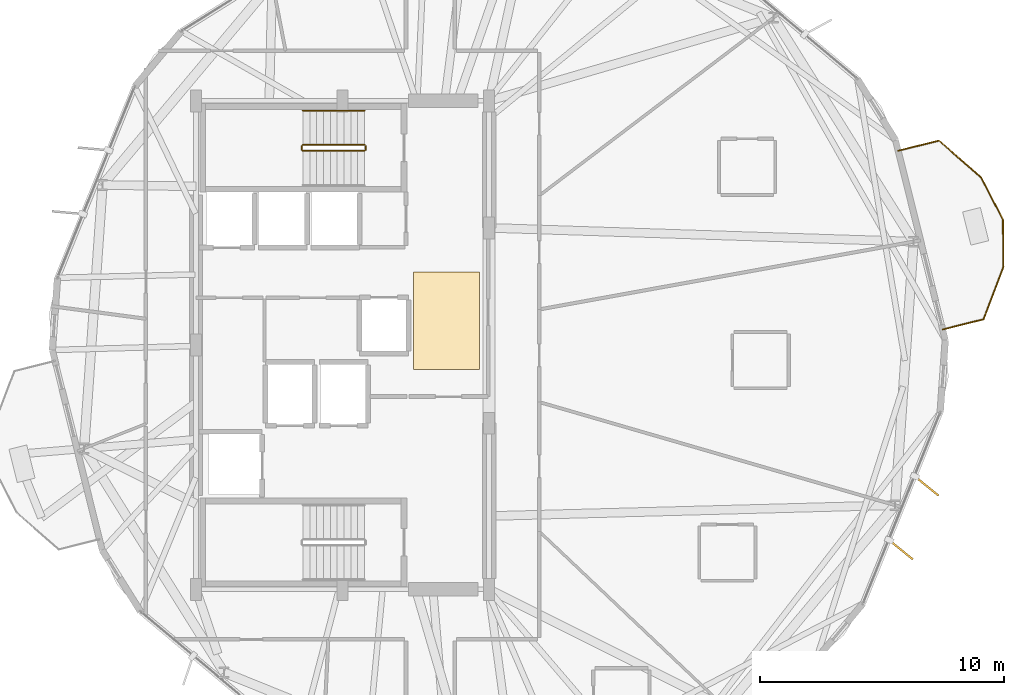
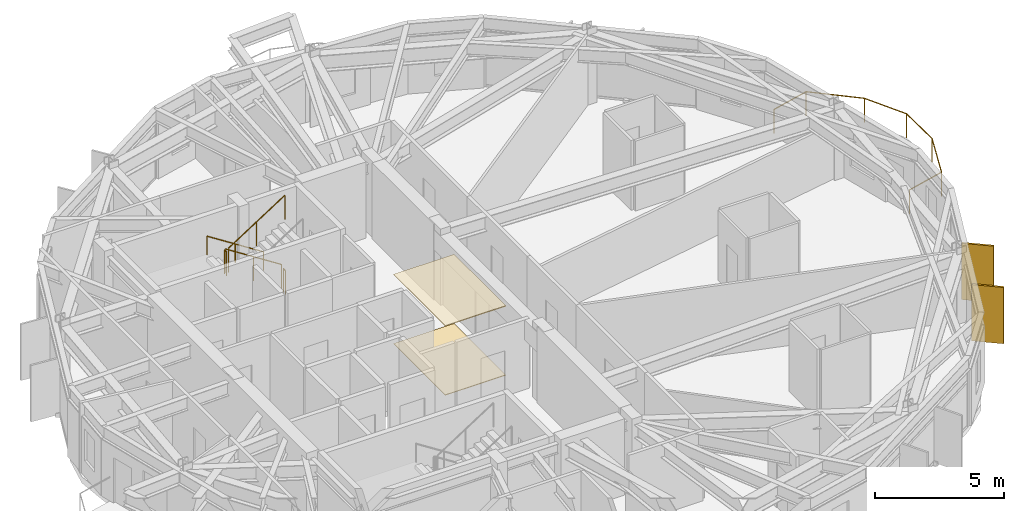
# One storey, part 21 of 22: 6 railings, 2 coverings, 2 shading devices.
"""IFC4 building model written with IfcOpenShell, lengths in metres."""

from ifc_helpers import new_model, si_unit, direction, frame, origin, origin_2d, place, context, subcontext, project, spatial, polyline, rectangle, circle, outline, extrude, material, layer, layer_set, type_object, element, save


model = new_model("IFC4")

# Units and contexts
model_context = context("Model", 3, precision=1e-05, world=origin(), true_north=direction((0.0, 1.0)))
body_context = subcontext(model_context, "Body", "Model", "MODEL_VIEW")
ifc_project = project(units=[si_unit("LENGTHUNIT", "METRE"), si_unit("AREAUNIT", "SQUARE_METRE"), si_unit("VOLUMEUNIT", "CUBIC_METRE"), si_unit("PLANEANGLEUNIT", "RADIAN"), si_unit("MASSUNIT", "GRAM", prefix="KILO")], contexts=[model_context])

# Site, building, storey
site_placement = place(None, origin())
site = spatial("IfcSite", under=ifc_project, at=site_placement, CompositionType="ELEMENT")
building_placement = place(site_placement, origin())
building = spatial("IfcBuilding", under=site, at=building_placement, Name="Soratama Intermodal Tower", CompositionType="ELEMENT")
storey_placement = place(building_placement, frame((0.0, 0.0, 157.0)))
storey = spatial("IfcBuildingStorey", under=building, at=storey_placement, Name="L38", CompositionType="ELEMENT", Elevation=157.0)

# Coverings
ifc_material_1 = material(Name="Perforated mineral acoustic ceiling", Category="concrete")
ifc_layer_1 = layer(ifc_material_1, 0.0400390625)
ifc_layer_set_1 = layer_set([ifc_layer_1], Name="Perforated mineral acoustic ceiling")
covering_type_1 = type_object("IfcCoveringType", Name="CV-CEIL-ACOUSTIC", PredefinedType="CEILING", material=ifc_layer_set_1)
covering_1_placement = place(storey_placement, frame((0.0, 0.0, 3.260009765625)))
element("IfcCovering", 1, at=covering_1_placement, inside=storey, type_object=covering_type_1, Name="L38 Acoustic Ceiling", PredefinedType="CEILING", context=body_context, shape_type="SweptSolid", body=[
    extrude(outline(polyline([(41.5, 24.0), (44.199951171875, 24.0), (44.199951171875, 28.0), (41.5, 28.0), (41.5, 24.0)])), origin(), (0.0, 0.0, 1.0), 0.0400390625),
])
ifc_material_2 = material(Name="Polished Andean stone terrazzo flooring", Category="masonry")
ifc_layer_2 = layer(ifc_material_2, 0.030029296875)
ifc_layer_set_2 = layer_set([ifc_layer_2], Name="Polished Andean stone terrazzo flooring")
covering_type_2 = type_object("IfcCoveringType", Name="CV-FLOR-TERRAZZO", PredefinedType="FLOORING", material=ifc_layer_set_2)
covering_2_placement = place(storey_placement, origin())
element("IfcCovering", 2, at=covering_2_placement, inside=storey, type_object=covering_type_2, Name="L38 Lobby Terrazzo Flooring", PredefinedType="FLOORING", context=body_context, shape_type="SweptSolid", body=[
    extrude(outline(polyline([(41.5, 24.0), (44.199951171875, 24.0), (44.199951171875, 28.0), (41.5, 28.0), (41.5, 24.0)])), origin(), (0.0, 0.0, 1.0), 0.030029296875),
])

# Railings
ifc_material_3 = material(Name="Laminated glass and stainless steel balustrade", Category="steel")
railing_type_1 = type_object("IfcRailingType", Name="RL-BAL-1150", PredefinedType="BALUSTRADE", material=ifc_material_3)
railing_1_placement = place(storey_placement, frame((61.3505859375, 32.955810546875, 0.0)))
element("IfcRailing", 3, at=railing_1_placement, inside=storey, type_object=railing_type_1, Name="L38 Balcony Balustrade 1", PredefinedType="BALUSTRADE", context=body_context, shape_type="SweptSolid", body=[
    extrude(circle(Radius=0.02392578125, at=origin_2d()), frame((0.0, 0.0, 1.1259765625), z_axis=(0.97035085623, 0.241700674003, 0.0), x_axis=(-0.241700674003, 0.97035085623, 0.0)), (0.0, 0.0, 1.0), 1.72021484375),
    extrude(circle(Radius=0.02392578125, at=origin_2d()), frame((1.669189453125, 0.415771484375, 1.1259765625), z_axis=(0.752339536855, -0.658775546969, 0.0), x_axis=(0.658775546969, 0.752339536855, 0.0)), (0.0, 0.0, 1.0), 2.296142578125),
    extrude(circle(Radius=0.02392578125, at=origin_2d()), frame((3.396728515625, -1.096923828125, 1.1259765625), z_axis=(0.459868440242, -0.887987059404, 0.0), x_axis=(0.887987059404, 0.459868440242, 0.0)), (0.0, 0.0, 1.0), 1.937744140625),
    extrude(circle(Radius=0.02392578125, at=origin_2d()), frame((4.287841796875, -2.817626953125, 1.1259765625), z_axis=(0.010204835867, -0.999947929307, 0.0), x_axis=(0.999947929307, 0.010204835867, 0.0)), (0.0, 0.0, 1.0), 1.937744140625),
    extrude(circle(Radius=0.02392578125, at=origin_2d()), frame((4.3076171875, -4.75537109375, 1.1259765625), z_axis=(-0.35575656307, -0.934578657916, 0.0), x_axis=(0.934578657916, -0.35575656307, 0.0)), (0.0, 0.0, 1.0), 2.296142578125),
    extrude(circle(Radius=0.02392578125, at=origin_2d()), frame((3.49072265625, -6.9013671875, 1.1259765625), z_axis=(-0.970375850743, -0.2416003069, 0.0), x_axis=(0.2416003069, -0.970375850743, 0.0)), (0.0, 0.0, 1.0), 1.719970703125),
    extrude(circle(Radius=0.02099609375, at=origin_2d()), origin(), (0.0, 0.0, 1.0), 1.101806640625),
    extrude(circle(Radius=0.02099609375, at=origin_2d()), frame((1.669189453125, 0.415771484375, 0.0)), (0.0, 0.0, 1.0), 1.101806640625),
    extrude(circle(Radius=0.02099609375, at=origin_2d()), frame((3.396728515625, -1.096923828125, 0.0)), (0.0, 0.0, 1.0), 1.101806640625),
    extrude(circle(Radius=0.02099609375, at=origin_2d()), frame((4.287841796875, -2.817626953125, 0.0)), (0.0, 0.0, 1.0), 1.101806640625),
    extrude(circle(Radius=0.02099609375, at=origin_2d()), frame((4.3076171875, -4.75537109375, 0.0)), (0.0, 0.0, 1.0), 1.101806640625),
    extrude(circle(Radius=0.02099609375, at=origin_2d()), frame((3.49072265625, -6.9013671875, 0.0)), (0.0, 0.0, 1.0), 1.101806640625),
    extrude(circle(Radius=0.02099609375, at=origin_2d()), frame((1.82177734375, -7.31689453125, 0.0)), (0.0, 0.0, 1.0), 1.101806640625),
])
ifc_material_4 = material(Name="Painted steel stair guardrail", Category="steel")
railing_type_2 = type_object("IfcRailingType", Name="RL-STAIR-GUARD", PredefinedType="GUARDRAIL", material=ifc_material_4)
railing_2_placement = place(storey_placement, frame((39.5, 33.199951171875, 0.179931640625)))
element("IfcRailing", 4, at=railing_2_placement, inside=storey, type_object=railing_type_2, Name="L38 ST-2 stair guard 1", PredefinedType="GUARDRAIL", context=body_context, shape_type="SweptSolid", body=[
    extrude(circle(Radius=0.02392578125, at=origin_2d()), frame((0.0, 0.0, 1.1259765625), z_axis=(-0.841162588446, 0.0, 0.540782303519), x_axis=(0.0, -1.0, 0.0)), (0.0, 0.0, 1.0), 2.995849609375),
    extrude(circle(Radius=0.02099609375, at=origin_2d()), origin(), (0.0, 0.0, 1.0), 1.101806640625),
    extrude(circle(Radius=0.02099609375, at=origin_2d()), frame((-1.260009765625, 0.0, 0.81005859375)), (0.0, 0.0, 1.0), 1.101806640625),
    extrude(circle(Radius=0.02099609375, at=origin_2d()), frame((-2.52001953125, 0.0, 1.6201171875)), (0.0, 0.0, 1.0), 1.101806640625),
])
railing_3_placement = place(storey_placement, frame((36.929931640625, 33.14990234375, 1.800048828125)))
element("IfcRailing", 5, at=railing_3_placement, inside=storey, type_object=railing_type_2, Name="L38 ST-2 stair guard 2", PredefinedType="GUARDRAIL", context=body_context, shape_type="SweptSolid", body=[
    extrude(circle(Radius=0.02392578125, at=origin_2d()), frame((0.0, 0.0, 1.1259765625), z_axis=(0.0, -1.0, 0.0), x_axis=(1.0, 0.0, 0.0)), (0.0, 0.0, 1.0), 0.14990234375),
    extrude(circle(Radius=0.02099609375, at=origin_2d()), origin(), (0.0, 0.0, 1.0), 1.101806640625),
    extrude(circle(Radius=0.02099609375, at=origin_2d()), frame((0.0, -0.14990234375, 0.0)), (0.0, 0.0, 1.0), 1.101806640625),
])
railing_4_placement = place(storey_placement, frame((36.97998046875, 32.949951171875, 1.97998046875)))
element("IfcRailing", 6, at=railing_4_placement, inside=storey, type_object=railing_type_2, Name="L38 ST-2 stair guard 3", PredefinedType="GUARDRAIL", context=body_context, shape_type="SweptSolid", body=[
    extrude(circle(Radius=0.02392578125, at=origin_2d()), frame((0.0, 0.0, 1.1259765625), z_axis=(0.841162588446, 0.0, 0.540782303519), x_axis=(0.0, 1.0, 0.0)), (0.0, 0.0, 1.0), 2.995849609375),
    extrude(circle(Radius=0.02099609375, at=origin_2d()), origin(), (0.0, 0.0, 1.0), 1.101806640625),
    extrude(circle(Radius=0.02099609375, at=origin_2d()), frame((1.260009765625, 0.0, 0.81005859375)), (0.0, 0.0, 1.0), 1.101806640625),
    extrude(circle(Radius=0.02099609375, at=origin_2d()), frame((2.52001953125, 0.0, 1.6201171875)), (0.0, 0.0, 1.0), 1.101806640625),
])
railing_5_placement = place(storey_placement, frame((39.550048828125, 33.14990234375, 0.0)))
element("IfcRailing", 7, at=railing_5_placement, inside=storey, type_object=railing_type_2, Name="L38 ST-2 stair guard 4", PredefinedType="GUARDRAIL", context=body_context, shape_type="SweptSolid", body=[
    extrude(circle(Radius=0.02392578125, at=origin_2d()), frame((0.0, 0.0, 1.1259765625), z_axis=(0.0, -1.0, 0.0), x_axis=(1.0, 0.0, 0.0)), (0.0, 0.0, 1.0), 0.14990234375),
    extrude(circle(Radius=0.02099609375, at=origin_2d()), origin(), (0.0, 0.0, 1.0), 1.101806640625),
    extrude(circle(Radius=0.02099609375, at=origin_2d()), frame((0.0, -0.14990234375, 0.0)), (0.0, 0.0, 1.0), 1.101806640625),
])
ifc_material_5 = material(Name="Brushed stainless steel handrail", Category="steel")
railing_type_3 = type_object("IfcRailingType", Name="RL-STAIR-HAND", PredefinedType="HANDRAIL", material=ifc_material_5)
railing_6_placement = place(storey_placement, frame((39.5, 34.60009765625, 0.179931640625)))
element("IfcRailing", 8, at=railing_6_placement, inside=storey, type_object=railing_type_3, Name="L38 ST-2 stair handrail 1", PredefinedType="HANDRAIL", context=body_context, shape_type="SweptSolid", body=[
    extrude(circle(Radius=0.02392578125, at=origin_2d()), frame((0.0, 0.0, 0.8759765625), z_axis=(-0.841162588446, 0.0, 0.540782303519), x_axis=(0.0, -1.0, 0.0)), (0.0, 0.0, 1.0), 2.995849609375),
    extrude(circle(Radius=0.02099609375, at=origin_2d()), origin(), (0.0, 0.0, 1.0), 0.851806640625),
    extrude(circle(Radius=0.02099609375, at=origin_2d()), frame((-1.260009765625, 0.0, 0.81005859375)), (0.0, 0.0, 1.0), 0.851806640625),
    extrude(circle(Radius=0.02099609375, at=origin_2d()), frame((-2.52001953125, 0.0, 1.6201171875)), (0.0, 0.0, 1.0), 0.851806640625),
])

# Shading devices
ifc_material_6 = material(Name="Champagne anodised aluminium solar fin", Category="aluminium")
ifc_layer_3 = layer(ifc_material_6, 0.080078125)
ifc_layer_set_3 = layer_set([ifc_layer_3], Name="Champagne anodised aluminium solar fin")
shading_device_type = type_object("IfcShadingDeviceType", Name="SH-FIN-1250", PredefinedType="USERDEFINED", material=ifc_layer_set_3)
for number, where, z_axis, x_axis, name in (
    (9, (61.46484375, 16.62060546875, 0.02001953125), (0.0, 0.0, 1.0), (0.777255786749, -0.629184743907, 0.0), "L38 Solar Fin F09-1"),
    (10, (62.51953125, 19.228759765625, 0.02001953125), (0.0, 0.0, 1.0), (0.777255786749, -0.629184743907, 0.0), "L38 Solar Fin F09-2"),
):
    element("IfcShadingDevice", number, at=place(storey_placement, frame(where, z_axis=z_axis, x_axis=x_axis)), inside=storey, type_object=shading_device_type, Name=name, ObjectType="FIN", PredefinedType="USERDEFINED", context=body_context, shape_type="SweptSolid", body=[
        extrude(rectangle(XDim=1.25, YDim=0.080078125, at=origin_2d()), origin(), (0.0, 0.0, 1.0), 2.658935546875),
    ])

save(model, "model.ifc")
